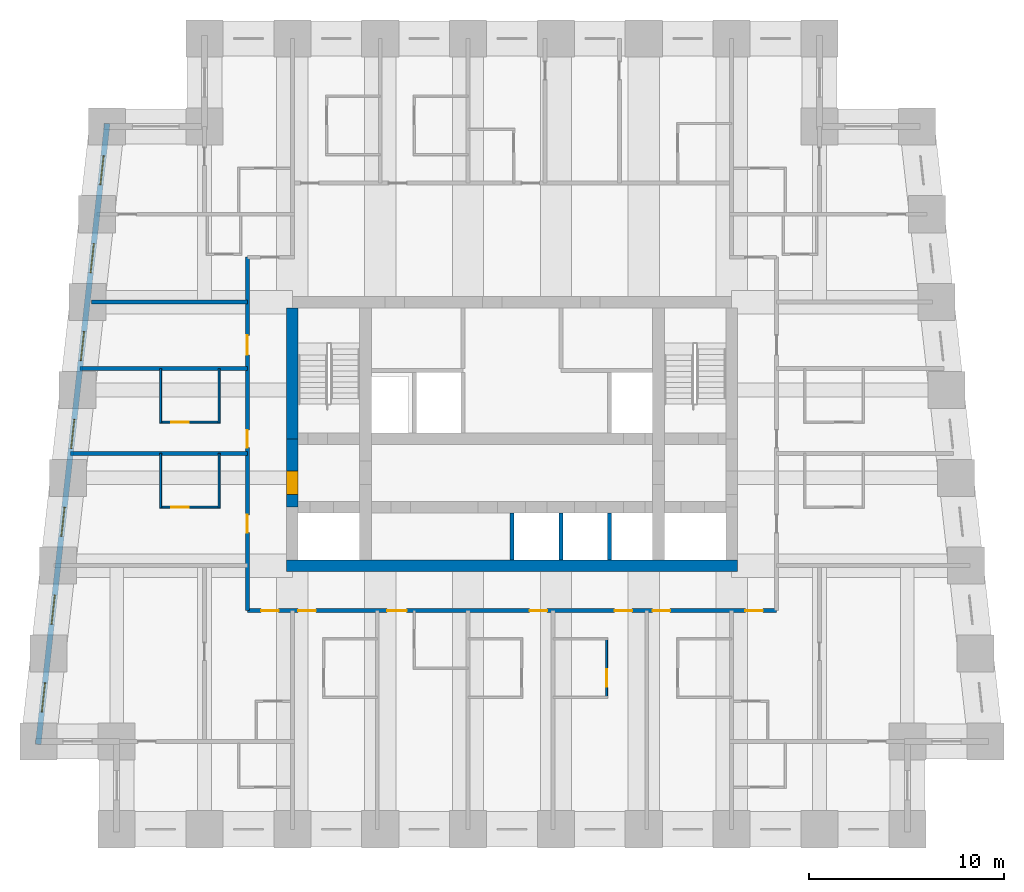
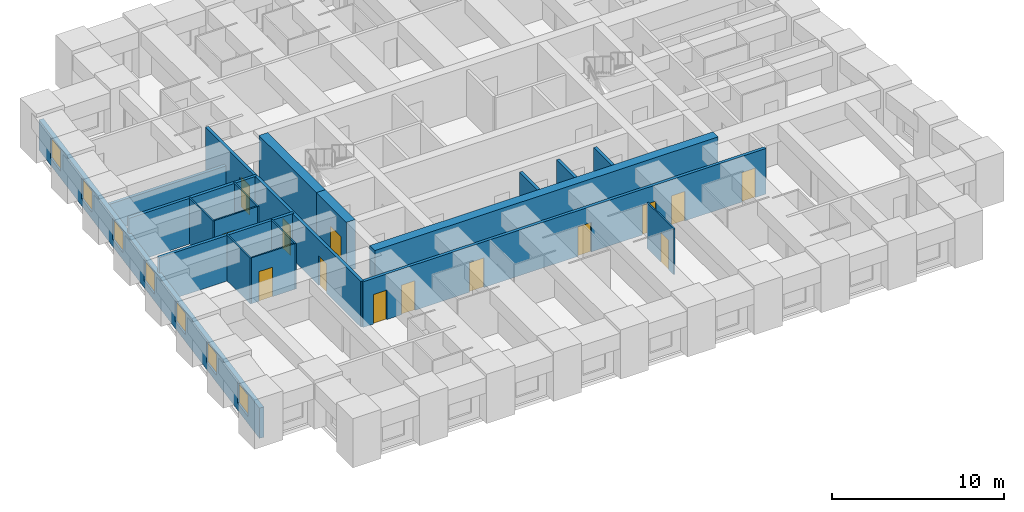
# One storey, part 3 of 8: 19 walls, 14 doors, 7 windows, 21 openings.
"""IFC4 building model written with IfcOpenShell, lengths in metres."""

from ifc_helpers import new_model, si_unit, direction, frame, frame_2d, origin, place, context, subcontext, project, spatial, rectangle, extrude, material, layer, layer_set, type_object, element, fill, save


model = new_model("IFC4")

# Units and contexts
model_context = context("Model", 3, precision=1e-05, world=origin(), true_north=direction((0.0, 1.0)))
body_context = subcontext(model_context, "Body", "Model", "MODEL_VIEW")
ifc_project = project(units=[si_unit("LENGTHUNIT", "METRE"), si_unit("AREAUNIT", "SQUARE_METRE"), si_unit("VOLUMEUNIT", "CUBIC_METRE"), si_unit("PLANEANGLEUNIT", "RADIAN"), si_unit("MASSUNIT", "GRAM", prefix="KILO")], contexts=[model_context])

# Site, building, storey
site_placement = place(None, origin())
site = spatial("IfcSite", under=ifc_project, at=site_placement, CompositionType="ELEMENT")
building_placement = place(site_placement, origin())
building = spatial("IfcBuilding", under=site, at=building_placement, Name="Kilele Tower Hotel", CompositionType="ELEMENT")
storey_placement = place(building_placement, frame((0.0, 0.0, 103.89990234375)))
storey = spatial("IfcBuildingStorey", under=building, at=storey_placement, Name="L26", CompositionType="ELEMENT", Elevation=103.89990234375)

# Wall, opening, door
ifc_material_1 = material(Name="Moisture-resistant board")
ifc_layer_1 = layer(ifc_material_1, 0.10009765625)
ifc_layer_set_1 = layer_set([ifc_layer_1], Name="Moisture-resistant board")
wall_type_1 = type_object("IfcWallType", Name="Bathroom partition 100", PredefinedType="PLUMBINGWALL", material=ifc_layer_set_1)
wall_1_placement = place(storey_placement, frame((29.60009765625, 9.800048828125, 0.0), z_axis=(0.0, 0.0, 1.0), x_axis=(0.0, -1.0, 0.0)))
wall_1 = element("IfcWall", 1, at=wall_1_placement, inside=storey, type_object=wall_type_1, Name="Bathroom partition 100 L26", PredefinedType="PLUMBINGWALL", context=body_context, shape_type="SweptSolid", body=[
    extrude(rectangle(XDim=3.10009765625, YDim=0.10009765625, at=frame_2d((1.550048828125, 0.0))), origin(), (0.0, 0.0, 1.0), 3.25),
])
opening_1_placement = place(wall_1_placement, frame((1.60009765625, 0.0, 0.0)))
opening_1 = element("IfcOpeningElement", 2, at=opening_1_placement, cuts=wall_1, Name="Opening D2A", PredefinedType="OPENING", context=body_context, shape_type="SweptSolid", body=[
    extrude(rectangle(XDim=0.89990234375, YDim=2.10009765625, at=frame_2d((0.449951171875, 1.050048828125))), frame((0.0, 0.06005859375, 0.0), z_axis=(0.0, -1.0, 0.0), x_axis=(1.0, 0.0, 0.0)), (0.0, 0.0, 1.0), 0.1201171875),
])
ifc_material_2 = material(Name="Timber door leaf in hardwood frame", Category="wood")
door_type_1 = type_object("IfcDoorType", Name="Bathroom door 900", OperationType="SINGLE_SWING_LEFT", PredefinedType="DOOR", material=ifc_material_2)
door_1_placement = place(opening_1_placement, origin())
door_1 = element("IfcDoor", 3, at=door_1_placement, inside=storey, type_object=door_type_1, Name="Bathroom door 2604B", OperationType="SINGLE_SWING_RIGHT", OverallHeight=2.10009765625, OverallWidth=0.89990234375, PredefinedType="DOOR", context=body_context, shape_type="SweptSolid", body=[
    extrude(rectangle(XDim=0.89990234375, YDim=2.10009765625, at=frame_2d((0.449951171875, 1.050048828125))), frame((0.0, 0.02490234375, 0.0), z_axis=(0.0, -1.0, 0.0), x_axis=(1.0, 0.0, 0.0)), (0.0, 0.0, 1.0), 0.050048828125),
])
fill(opening_1, door_1)

# Walls
for number, where, z_axis, x_axis, name in (
    (4, (9.75, 16.449951171875, 0.0), (0.0, 0.0, 1.0), (0.0, 1.0, 0.0), "Bathroom partition 100 L26"),
    (5, (6.75, 16.449951171875, 0.0), (0.0, 0.0, 1.0), (0.0, 1.0, 0.0), "Bathroom partition 100 L26"),
):
    element("IfcWall", number, at=place(storey_placement, frame(where, z_axis=z_axis, x_axis=x_axis)), inside=storey, type_object=wall_type_1, Name=name, PredefinedType="PLUMBINGWALL", context=body_context, shape_type="SweptSolid", body=[
        extrude(rectangle(XDim=2.800048828125, YDim=0.10009765625, at=frame_2d((1.39990234375, 0.0))), origin(), (0.0, 0.0, 1.0), 3.25),
    ])

# Wall, opening, door
wall_2_placement = place(storey_placement, frame((9.800048828125, 16.5, 0.0), z_axis=(0.0, 0.0, 1.0), x_axis=(-1.0, 0.0, 0.0)))
wall_2 = element("IfcWall", 6, at=wall_2_placement, inside=storey, type_object=wall_type_1, Name="Bathroom partition 100 L26", PredefinedType="PLUMBINGWALL", context=body_context, shape_type="SweptSolid", body=[
    extrude(rectangle(XDim=3.10009765625, YDim=0.10009765625, at=frame_2d((1.550048828125, 0.0))), origin(), (0.0, 0.0, 1.0), 3.25),
])
opening_2_placement = place(wall_2_placement, frame((1.60009765625, 0.0, 0.0)))
opening_2 = element("IfcOpeningElement", 7, at=opening_2_placement, cuts=wall_2, Name="Opening D2A", PredefinedType="OPENING", context=body_context, shape_type="SweptSolid", body=[
    extrude(rectangle(XDim=0.89990234375, YDim=2.10009765625, at=frame_2d((0.449951171875, 1.050048828125))), frame((0.0, 0.06005859375, 0.0), z_axis=(0.0, -1.0, 0.0), x_axis=(1.0, 0.0, 0.0)), (0.0, 0.0, 1.0), 0.1201171875),
])
door_2_placement = place(opening_2_placement, origin())
door_2 = element("IfcDoor", 8, at=door_2_placement, inside=storey, type_object=door_type_1, Name="Bathroom door 2614B", OperationType="SINGLE_SWING_RIGHT", OverallHeight=2.10009765625, OverallWidth=0.89990234375, PredefinedType="DOOR", context=body_context, shape_type="SweptSolid", body=[
    extrude(rectangle(XDim=0.89990234375, YDim=2.10009765625, at=frame_2d((0.449951171875, 1.050048828125))), frame((0.0, 0.02490234375, 0.0), z_axis=(0.0, -1.0, 0.0), x_axis=(1.0, 0.0, 0.0)), (0.0, 0.0, 1.0), 0.050048828125),
])
fill(opening_2, door_2)

# Walls
for number, where, z_axis, x_axis, name in (
    (9, (9.75, 20.800048828125, 0.0), (0.0, 0.0, 1.0), (0.0, 1.0, 0.0), "Bathroom partition 100 L26"),
    (10, (6.75, 20.800048828125, 0.0), (0.0, 0.0, 1.0), (0.0, 1.0, 0.0), "Bathroom partition 100 L26"),
):
    element("IfcWall", number, at=place(storey_placement, frame(where, z_axis=z_axis, x_axis=x_axis)), inside=storey, type_object=wall_type_1, Name=name, PredefinedType="PLUMBINGWALL", context=body_context, shape_type="SweptSolid", body=[
        extrude(rectangle(XDim=2.800048828125, YDim=0.10009765625, at=frame_2d((1.39990234375, 0.0))), origin(), (0.0, 0.0, 1.0), 3.25),
    ])

# Wall, opening, door
wall_3_placement = place(storey_placement, frame((9.800048828125, 20.85009765625, 0.0), z_axis=(0.0, 0.0, 1.0), x_axis=(-1.0, 0.0, 0.0)))
wall_3 = element("IfcWall", 11, at=wall_3_placement, inside=storey, type_object=wall_type_1, Name="Bathroom partition 100 L26", PredefinedType="PLUMBINGWALL", context=body_context, shape_type="SweptSolid", body=[
    extrude(rectangle(XDim=3.10009765625, YDim=0.10009765625, at=frame_2d((1.550048828125, 0.0))), origin(), (0.0, 0.0, 1.0), 3.25),
])
opening_3_placement = place(wall_3_placement, frame((1.60009765625, 0.0, 0.0)))
opening_3 = element("IfcOpeningElement", 12, at=opening_3_placement, cuts=wall_3, Name="Opening D2A", PredefinedType="OPENING", context=body_context, shape_type="SweptSolid", body=[
    extrude(rectangle(XDim=0.89990234375, YDim=2.10009765625, at=frame_2d((0.449951171875, 1.050048828125))), frame((0.0, 0.06005859375, 0.0), z_axis=(0.0, -1.0, 0.0), x_axis=(1.0, 0.0, 0.0)), (0.0, 0.0, 1.0), 0.1201171875),
])
door_3_placement = place(opening_3_placement, origin())
door_3 = element("IfcDoor", 13, at=door_3_placement, inside=storey, type_object=door_type_1, Name="Bathroom door 2615B", OperationType="SINGLE_SWING_RIGHT", OverallHeight=2.10009765625, OverallWidth=0.89990234375, PredefinedType="DOOR", context=body_context, shape_type="SweptSolid", body=[
    extrude(rectangle(XDim=0.89990234375, YDim=2.10009765625, at=frame_2d((0.449951171875, 1.050048828125))), frame((0.0, 0.02490234375, 0.0), z_axis=(0.0, -1.0, 0.0), x_axis=(1.0, 0.0, 0.0)), (0.0, 0.0, 1.0), 0.050048828125),
])
fill(opening_3, door_3)

# Walls
ifc_material_3 = material(Name="Concrete C60/75", Category="concrete")
ifc_layer_2 = layer(ifc_material_3, 0.60009765625)
ifc_layer_set_2 = layer_set([ifc_layer_2], Name="Concrete C60/75")
wall_type_2 = type_object("IfcWallType", Name="Core wall 600 C60/75", PredefinedType="SHEAR", material=ifc_layer_set_2)
wall_4_placement = place(storey_placement, frame((13.199951171875, 13.5, 0.0), z_axis=(0.0, 0.0, 1.0), x_axis=(1.0, 0.0, 0.0)))
element("IfcWall", 14, at=wall_4_placement, inside=storey, type_object=wall_type_2, Name="Core wall S L26", PredefinedType="SHEAR", context=body_context, shape_type="SweptSolid", body=[
    extrude(rectangle(XDim=23.10009765625, YDim=0.60009765625, at=frame_2d((11.550048828125, 0.0))), origin(), (0.0, 0.0, 1.0), 3.5),
])
wall_5_placement = place(storey_placement, frame((13.5, 26.699951171875, 0.0), z_axis=(0.0, 0.0, 1.0), x_axis=(0.0, -1.0, 0.0)))
element("IfcWall", 15, at=wall_5_placement, inside=storey, type_object=wall_type_2, Name="Core wall W1 L26", PredefinedType="SHEAR", context=body_context, shape_type="SweptSolid", body=[
    extrude(rectangle(XDim=6.699951171875, YDim=0.60009765625, at=frame_2d((3.35009765625, 0.0))), origin(), (0.0, 0.0, 1.0), 3.5),
])

# Wall, opening, door
wall_6_placement = place(storey_placement, frame((13.5, 20.0, 0.0), z_axis=(0.0, 0.0, 1.0), x_axis=(0.0, -1.0, 0.0)))
wall_6 = element("IfcWall", 16, at=wall_6_placement, inside=storey, type_object=wall_type_2, Name="Core wall W2 L26", PredefinedType="SHEAR", context=body_context, shape_type="SweptSolid", body=[
    extrude(rectangle(XDim=3.5, YDim=0.60009765625, at=frame_2d((1.75, 0.0))), origin(), (0.0, 0.0, 1.0), 3.5),
])
opening_4_placement = place(wall_6_placement, frame((1.64990234375, 0.0, 0.0)))
opening_4 = element("IfcOpeningElement", 17, at=opening_4_placement, cuts=wall_6, Name="Opening D4", PredefinedType="OPENING", context=body_context, shape_type="SweptSolid", body=[
    extrude(rectangle(XDim=1.199951171875, YDim=2.10009765625, at=frame_2d((0.60009765625, 1.050048828125))), frame((0.0, 0.31005859375, 0.0), z_axis=(0.0, -1.0, 0.0), x_axis=(1.0, 0.0, 0.0)), (0.0, 0.0, 1.0), 0.6201171875),
])
ifc_material_4 = material(Name="Timber door leaf in hardwood frame", Category="wood")
door_type_2 = type_object("IfcDoorType", Name="Firefighting lobby door 1200", OperationType="SINGLE_SWING_LEFT", PredefinedType="DOOR", material=ifc_material_4)
door_4_placement = place(opening_4_placement, origin())
door_4 = element("IfcDoor", 18, at=door_4_placement, inside=storey, type_object=door_type_2, Name="Lobby door L26", OperationType="SINGLE_SWING_RIGHT", OverallHeight=2.10009765625, OverallWidth=1.199951171875, PredefinedType="DOOR", context=body_context, shape_type="SweptSolid", body=[
    extrude(rectangle(XDim=1.199951171875, YDim=2.10009765625, at=frame_2d((0.60009765625, 1.050048828125))), frame((0.0, 0.2998046875, 0.0), z_axis=(0.0, -1.0, 0.0), x_axis=(1.0, 0.0, 0.0)), (0.0, 0.0, 1.0), 0.599609375),
])
fill(opening_4, door_4)

# Wall, openings, doors
ifc_material_5 = material(Name="Blockwork, plastered both sides", Category="masonry")
ifc_layer_3 = layer(ifc_material_5, 0.199951171875)
ifc_layer_set_3 = layer_set([ifc_layer_3], Name="Blockwork, plastered both sides")
wall_type_3 = type_object("IfcWallType", Name="Corridor wall 200", PredefinedType="PARTITIONING", material=ifc_layer_set_3)
wall_7_placement = place(storey_placement, frame((11.199951171875, 11.199951171875, 0.0), z_axis=(0.0, 0.0, 1.0), x_axis=(1.0, 0.0, 0.0)))
wall_7 = element("IfcWall", 19, at=wall_7_placement, inside=storey, type_object=wall_type_3, Name="Corridor wall 200 L26", PredefinedType="PARTITIONING", context=body_context, shape_type="SweptSolid", body=[
    extrude(rectangle(XDim=27.10009765625, YDim=0.199951171875, at=frame_2d((13.550048828125, 0.0))), origin(), (0.0, 0.0, 1.0), 3.25),
])
opening_5_placement = place(wall_7_placement, frame((3.5, 0.0, 0.0), z_axis=(0.0, 0.0, 1.0), x_axis=(-1.0, 0.0, 0.0)))
opening_5 = element("IfcOpeningElement", 20, at=opening_5_placement, cuts=wall_7, Name="Opening D1", PredefinedType="OPENING", context=body_context, shape_type="SweptSolid", body=[
    extrude(rectangle(XDim=0.89990234375, YDim=2.10009765625, at=frame_2d((0.449951171875, 1.050048828125))), frame((0.0, 0.10986328125, 0.0), z_axis=(0.0, -1.0, 0.0), x_axis=(1.0, 0.0, 0.0)), (0.0, 0.0, 1.0), 0.219970703125),
])
opening_6_placement = place(wall_7_placement, frame((8.14990234375, 0.0, 0.0), z_axis=(0.0, 0.0, 1.0), x_axis=(-1.0, 0.0, 0.0)))
opening_6 = element("IfcOpeningElement", 21, at=opening_6_placement, cuts=wall_7, Name="Opening D1A", PredefinedType="OPENING", context=body_context, shape_type="SweptSolid", body=[
    extrude(rectangle(XDim=1.0, YDim=2.10009765625, at=frame_2d((0.5, 1.050048828125))), frame((0.0, 0.10986328125, 0.0), z_axis=(0.0, -1.0, 0.0), x_axis=(1.0, 0.0, 0.0)), (0.0, 0.0, 1.0), 0.219970703125),
])
opening_7_placement = place(wall_7_placement, frame((15.349853515625, 0.0, 0.0), z_axis=(0.0, 0.0, 1.0), x_axis=(-1.0, 0.0, 0.0)))
opening_7 = element("IfcOpeningElement", 22, at=opening_7_placement, cuts=wall_7, Name="Opening D1", PredefinedType="OPENING", context=body_context, shape_type="SweptSolid", body=[
    extrude(rectangle(XDim=0.89990234375, YDim=2.10009765625, at=frame_2d((0.449951171875, 1.050048828125))), frame((0.0, 0.10986328125, 0.0), z_axis=(0.0, -1.0, 0.0), x_axis=(1.0, 0.0, 0.0)), (0.0, 0.0, 1.0), 0.219970703125),
])
opening_8_placement = place(wall_7_placement, frame((19.699951171875, 0.0, 0.0), z_axis=(0.0, 0.0, 1.0), x_axis=(-1.0, 0.0, 0.0)))
opening_8 = element("IfcOpeningElement", 23, at=opening_8_placement, cuts=wall_7, Name="Opening D1", PredefinedType="OPENING", context=body_context, shape_type="SweptSolid", body=[
    extrude(rectangle(XDim=0.89990234375, YDim=2.10009765625, at=frame_2d((0.449951171875, 1.050048828125))), frame((0.0, 0.10986328125, 0.0), z_axis=(0.0, -1.0, 0.0), x_axis=(1.0, 0.0, 0.0)), (0.0, 0.0, 1.0), 0.219970703125),
])
opening_9_placement = place(wall_7_placement, frame((21.64990234375, 0.0, 0.0), z_axis=(0.0, 0.0, 1.0), x_axis=(-1.0, 0.0, 0.0)))
opening_9 = element("IfcOpeningElement", 24, at=opening_9_placement, cuts=wall_7, Name="Opening D1", PredefinedType="OPENING", context=body_context, shape_type="SweptSolid", body=[
    extrude(rectangle(XDim=0.89990234375, YDim=2.10009765625, at=frame_2d((0.449951171875, 1.050048828125))), frame((0.0, 0.10986328125, 0.0), z_axis=(0.0, -1.0, 0.0), x_axis=(1.0, 0.0, 0.0)), (0.0, 0.0, 1.0), 0.219970703125),
])
opening_10_placement = place(wall_7_placement, frame((1.599853515625, 0.0, 0.0), z_axis=(0.0, 0.0, 1.0), x_axis=(-1.0, 0.0, 0.0)))
opening_10 = element("IfcOpeningElement", 25, at=opening_10_placement, cuts=wall_7, Name="Opening D1", PredefinedType="OPENING", context=body_context, shape_type="SweptSolid", body=[
    extrude(rectangle(XDim=0.89990234375, YDim=2.10009765625, at=frame_2d((0.449951171875, 1.050048828125))), frame((0.0, 0.10986328125, 0.0), z_axis=(0.0, -1.0, 0.0), x_axis=(1.0, 0.0, 0.0)), (0.0, 0.0, 1.0), 0.219970703125),
])
opening_11_placement = place(wall_7_placement, frame((26.39990234375, 0.0, 0.0), z_axis=(0.0, 0.0, 1.0), x_axis=(-1.0, 0.0, 0.0)))
opening_11 = element("IfcOpeningElement", 26, at=opening_11_placement, cuts=wall_7, Name="Opening D1", PredefinedType="OPENING", context=body_context, shape_type="SweptSolid", body=[
    extrude(rectangle(XDim=0.89990234375, YDim=2.10009765625, at=frame_2d((0.449951171875, 1.050048828125))), frame((0.0, 0.10986328125, 0.0), z_axis=(0.0, -1.0, 0.0), x_axis=(1.0, 0.0, 0.0)), (0.0, 0.0, 1.0), 0.219970703125),
])
ifc_material_6 = material(Name="Timber door leaf in hardwood frame", Category="wood")
door_type_3 = type_object("IfcDoorType", Name="Guest room entrance door 1000", OperationType="SINGLE_SWING_LEFT", PredefinedType="DOOR", material=ifc_material_6)
door_5_placement = place(opening_6_placement, origin())
door_5 = element("IfcDoor", 27, at=door_5_placement, inside=storey, type_object=door_type_3, Name="Room entrance 2602", OperationType="SINGLE_SWING_RIGHT", OverallHeight=2.10009765625, OverallWidth=1.0, PredefinedType="DOOR", context=body_context, shape_type="SweptSolid", body=[
    extrude(rectangle(XDim=1.0, YDim=2.10009765625, at=frame_2d((0.5, 1.050048828125))), frame((0.0, 0.02490234375, 0.0), z_axis=(0.0, -1.0, 0.0), x_axis=(1.0, 0.0, 0.0)), (0.0, 0.0, 1.0), 0.050048828125),
])
fill(opening_6, door_5)
ifc_material_7 = material(Name="Timber door leaf in hardwood frame", Category="wood")
door_type_4 = type_object("IfcDoorType", Name="Guest room entrance door 900", OperationType="SINGLE_SWING_LEFT", PredefinedType="DOOR", material=ifc_material_7)
door_6_placement = place(opening_5_placement, origin())
door_6 = element("IfcDoor", 28, at=door_6_placement, inside=storey, type_object=door_type_4, Name="Room entrance 2601", OperationType="SINGLE_SWING_RIGHT", OverallHeight=2.10009765625, OverallWidth=0.89990234375, PredefinedType="DOOR", context=body_context, shape_type="SweptSolid", body=[
    extrude(rectangle(XDim=0.89990234375, YDim=2.10009765625, at=frame_2d((0.449951171875, 1.050048828125))), frame((0.0, 0.02490234375, 0.0), z_axis=(0.0, -1.0, 0.0), x_axis=(1.0, 0.0, 0.0)), (0.0, 0.0, 1.0), 0.050048828125),
])
fill(opening_5, door_6)
door_7_placement = place(opening_7_placement, origin())
door_7 = element("IfcDoor", 29, at=door_7_placement, inside=storey, type_object=door_type_4, Name="Room entrance 2603", OperationType="SINGLE_SWING_LEFT", OverallHeight=2.10009765625, OverallWidth=0.89990234375, PredefinedType="DOOR", context=body_context, shape_type="SweptSolid", body=[
    extrude(rectangle(XDim=0.89990234375, YDim=2.10009765625, at=frame_2d((0.449951171875, 1.050048828125))), frame((0.0, 0.02490234375, 0.0), z_axis=(0.0, -1.0, 0.0), x_axis=(1.0, 0.0, 0.0)), (0.0, 0.0, 1.0), 0.050048828125),
])
fill(opening_7, door_7)
door_8_placement = place(opening_8_placement, origin())
door_8 = element("IfcDoor", 30, at=door_8_placement, inside=storey, type_object=door_type_4, Name="Room entrance 2604", OperationType="SINGLE_SWING_LEFT", OverallHeight=2.10009765625, OverallWidth=0.89990234375, PredefinedType="DOOR", context=body_context, shape_type="SweptSolid", body=[
    extrude(rectangle(XDim=0.89990234375, YDim=2.10009765625, at=frame_2d((0.449951171875, 1.050048828125))), frame((0.0, 0.02490234375, 0.0), z_axis=(0.0, -1.0, 0.0), x_axis=(1.0, 0.0, 0.0)), (0.0, 0.0, 1.0), 0.050048828125),
])
fill(opening_8, door_8)
door_9_placement = place(opening_9_placement, origin())
door_9 = element("IfcDoor", 31, at=door_9_placement, inside=storey, type_object=door_type_4, Name="Room entrance 2605", OperationType="SINGLE_SWING_RIGHT", OverallHeight=2.10009765625, OverallWidth=0.89990234375, PredefinedType="DOOR", context=body_context, shape_type="SweptSolid", body=[
    extrude(rectangle(XDim=0.89990234375, YDim=2.10009765625, at=frame_2d((0.449951171875, 1.050048828125))), frame((0.0, 0.02490234375, 0.0), z_axis=(0.0, -1.0, 0.0), x_axis=(1.0, 0.0, 0.0)), (0.0, 0.0, 1.0), 0.050048828125),
])
fill(opening_9, door_9)
door_10_placement = place(opening_10_placement, origin())
door_10 = element("IfcDoor", 32, at=door_10_placement, inside=storey, type_object=door_type_4, Name="Room entrance 2617", OperationType="SINGLE_SWING_LEFT", OverallHeight=2.10009765625, OverallWidth=0.89990234375, PredefinedType="DOOR", context=body_context, shape_type="SweptSolid", body=[
    extrude(rectangle(XDim=0.89990234375, YDim=2.10009765625, at=frame_2d((0.449951171875, 1.050048828125))), frame((0.0, 0.02490234375, 0.0), z_axis=(0.0, -1.0, 0.0), x_axis=(1.0, 0.0, 0.0)), (0.0, 0.0, 1.0), 0.050048828125),
])
fill(opening_10, door_10)
door_11_placement = place(opening_11_placement, origin())
door_11 = element("IfcDoor", 33, at=door_11_placement, inside=storey, type_object=door_type_4, Name="Room entrance 2620", OperationType="SINGLE_SWING_RIGHT", OverallHeight=2.10009765625, OverallWidth=0.89990234375, PredefinedType="DOOR", context=body_context, shape_type="SweptSolid", body=[
    extrude(rectangle(XDim=0.89990234375, YDim=2.10009765625, at=frame_2d((0.449951171875, 1.050048828125))), frame((0.0, 0.02490234375, 0.0), z_axis=(0.0, -1.0, 0.0), x_axis=(1.0, 0.0, 0.0)), (0.0, 0.0, 1.0), 0.050048828125),
])
fill(opening_11, door_11)

wall_8_placement = place(storey_placement, frame((11.199951171875, 11.199951171875, 0.0), z_axis=(0.0, 0.0, 1.0), x_axis=(0.0, 1.0, 0.0)))
wall_8 = element("IfcWall", 34, at=wall_8_placement, inside=storey, type_object=wall_type_3, Name="Corridor wall 200 L26", PredefinedType="PARTITIONING", context=body_context, shape_type="SweptSolid", body=[
    extrude(rectangle(XDim=18.10009765625, YDim=0.199951171875, at=frame_2d((9.050048828125, 0.0))), origin(), (0.0, 0.0, 1.0), 3.25),
])
opening_12_placement = place(wall_8_placement, frame((4.0, 0.0, 0.0)))
opening_12 = element("IfcOpeningElement", 35, at=opening_12_placement, cuts=wall_8, Name="Opening D1", PredefinedType="OPENING", context=body_context, shape_type="SweptSolid", body=[
    extrude(rectangle(XDim=0.89990234375, YDim=2.10009765625, at=frame_2d((0.449951171875, 1.050048828125))), frame((0.0, 0.10986328125, 0.0), z_axis=(0.0, -1.0, 0.0), x_axis=(1.0, 0.0, 0.0)), (0.0, 0.0, 1.0), 0.219970703125),
])
opening_13_placement = place(wall_8_placement, frame((8.35009765625, 0.0, 0.0)))
opening_13 = element("IfcOpeningElement", 36, at=opening_13_placement, cuts=wall_8, Name="Opening D1", PredefinedType="OPENING", context=body_context, shape_type="SweptSolid", body=[
    extrude(rectangle(XDim=0.89990234375, YDim=2.10009765625, at=frame_2d((0.449951171875, 1.050048828125))), frame((0.0, 0.10986328125, 0.0), z_axis=(0.0, -1.0, 0.0), x_axis=(1.0, 0.0, 0.0)), (0.0, 0.0, 1.0), 0.219970703125),
])
opening_14_placement = place(wall_8_placement, frame((13.10009765625, 0.0, 0.0)))
opening_14 = element("IfcOpeningElement", 37, at=opening_14_placement, cuts=wall_8, Name="Opening D8", PredefinedType="OPENING", context=body_context, shape_type="SweptSolid", body=[
    extrude(rectangle(XDim=1.0, YDim=2.10009765625, at=frame_2d((0.5, 1.050048828125))), frame((0.0, 0.10986328125, 0.0), z_axis=(0.0, -1.0, 0.0), x_axis=(1.0, 0.0, 0.0)), (0.0, 0.0, 1.0), 0.219970703125),
])
ifc_material_8 = material(Name="Timber door leaf in hardwood frame", Category="wood")
door_type_5 = type_object("IfcDoorType", Name="Door 1000", OperationType="SINGLE_SWING_LEFT", PredefinedType="DOOR", material=ifc_material_8)
door_12_placement = place(opening_14_placement, origin())
door_12 = element("IfcDoor", 38, at=door_12_placement, inside=storey, type_object=door_type_5, Name="Room entrance 2616", OperationType="SINGLE_SWING_LEFT", OverallHeight=2.10009765625, OverallWidth=1.0, PredefinedType="DOOR", context=body_context, shape_type="SweptSolid", body=[
    extrude(rectangle(XDim=1.0, YDim=2.10009765625, at=frame_2d((0.5, 1.050048828125))), frame((0.0, 0.02490234375, 0.0), z_axis=(0.0, -1.0, 0.0), x_axis=(1.0, 0.0, 0.0)), (0.0, 0.0, 1.0), 0.050048828125),
])
fill(opening_14, door_12)
door_13_placement = place(opening_12_placement, origin())
door_13 = element("IfcDoor", 39, at=door_13_placement, inside=storey, type_object=door_type_4, Name="Room entrance 2614", OperationType="SINGLE_SWING_LEFT", OverallHeight=2.10009765625, OverallWidth=0.89990234375, PredefinedType="DOOR", context=body_context, shape_type="SweptSolid", body=[
    extrude(rectangle(XDim=0.89990234375, YDim=2.10009765625, at=frame_2d((0.449951171875, 1.050048828125))), frame((0.0, 0.02490234375, 0.0), z_axis=(0.0, -1.0, 0.0), x_axis=(1.0, 0.0, 0.0)), (0.0, 0.0, 1.0), 0.050048828125),
])
fill(opening_12, door_13)
door_14_placement = place(opening_13_placement, origin())
door_14 = element("IfcDoor", 40, at=door_14_placement, inside=storey, type_object=door_type_4, Name="Room entrance 2615", OperationType="SINGLE_SWING_LEFT", OverallHeight=2.10009765625, OverallWidth=0.89990234375, PredefinedType="DOOR", context=body_context, shape_type="SweptSolid", body=[
    extrude(rectangle(XDim=0.89990234375, YDim=2.10009765625, at=frame_2d((0.449951171875, 1.050048828125))), frame((0.0, 0.02490234375, 0.0), z_axis=(0.0, -1.0, 0.0), x_axis=(1.0, 0.0, 0.0)), (0.0, 0.0, 1.0), 0.050048828125),
])
fill(opening_13, door_14)

# Walls
ifc_material_9 = material(Name="Blockwork, plastered both sides", Category="masonry")
ifc_layer_4 = layer(ifc_material_9, 0.199951171875)
ifc_layer_set_4 = layer_set([ifc_layer_4], Name="Blockwork, plastered both sides")
wall_type_4 = type_object("IfcWallType", Name="Party wall 200", PredefinedType="PARTITIONING", material=ifc_layer_set_4)
wall_9_placement = place(storey_placement, frame((11.199951171875, 19.25, 0.0), z_axis=(0.0, 0.0, 1.0), x_axis=(-1.0, 0.0, 0.0)))
element("IfcWall", 41, at=wall_9_placement, inside=storey, type_object=wall_type_4, Name="Party wall 200 L26", PredefinedType="PARTITIONING", context=body_context, shape_type="SweptSolid", body=[
    extrude(rectangle(XDim=9.06005859375, YDim=0.199951171875, at=frame_2d((4.530029296875, 0.0))), origin(), (0.0, 0.0, 1.0), 3.25),
])
wall_10_placement = place(storey_placement, frame((11.199951171875, 23.60009765625, 0.0), z_axis=(0.0, 0.0, 1.0), x_axis=(-1.0, 0.0, 0.0)))
element("IfcWall", 42, at=wall_10_placement, inside=storey, type_object=wall_type_4, Name="Party wall 200 L26", PredefinedType="PARTITIONING", context=body_context, shape_type="SweptSolid", body=[
    extrude(rectangle(XDim=8.576904296875, YDim=0.199951171875, at=frame_2d((4.28857421875, 0.0))), origin(), (0.0, 0.0, 1.0), 3.25),
])
wall_11_placement = place(storey_placement, frame((11.199951171875, 27.0, 0.0), z_axis=(0.0, 0.0, 1.0), x_axis=(-1.0, 0.0, 0.0)))
element("IfcWall", 43, at=wall_11_placement, inside=storey, type_object=wall_type_4, Name="Party wall 200 L26", PredefinedType="PARTITIONING", context=body_context, shape_type="SweptSolid", body=[
    extrude(rectangle(XDim=7.976806640625, YDim=0.199951171875, at=frame_2d((3.98828125, 0.0))), origin(), (0.0, 0.0, 1.0), 1.9501953125),
])

# Wall, openings, windows
ifc_material_10 = material(Name="Concrete C40/50 precast", Category="concrete")
ifc_layer_5 = layer(ifc_material_10, 0.260009765625, Name="Precast backing", Category="LoadBearing")
ifc_material_11 = material(Name="Reconstituted stone finish", Category="masonry")
ifc_layer_6 = layer(ifc_material_11, 0.0400390625, Name="Face mix", Category="Finish")
ifc_layer_set_5 = layer_set([ifc_layer_5, ifc_layer_6], Name="Precast concrete C40/50, reconstituted stone finish")
wall_type_5 = type_object("IfcWallType", Name="Precast stone facade wall 300", PredefinedType="STANDARD", material=ifc_layer_set_5)
wall_12_placement = place(storey_placement, frame((4.0166015625, 36.149169921875, 0.0), z_axis=(0.0, 0.0, 1.0), x_axis=(-0.110433201132, -0.993883548555, 0.0)))
wall_12 = element("IfcWall", 44, at=wall_12_placement, inside=storey, type_object=wall_type_5, Name="Facade wall L26 edge 12", PredefinedType="STANDARD", context=body_context, shape_type="SweptSolid", body=[
    extrude(rectangle(XDim=31.994140625, YDim=0.300048828125, at=frame_2d((15.9970703125, 0.0))), origin(), (0.0, 0.0, 1.0), 2.150146484375),
])
opening_15_placement = place(wall_12_placement, frame((1.6640625, 0.0, 0.5)))
opening_15 = element("IfcOpeningElement", 45, at=opening_15_placement, cuts=wall_12, Name="Opening W2", PredefinedType="OPENING", context=body_context, shape_type="SweptSolid", body=[
    extrude(rectangle(XDim=1.5, YDim=1.5, at=frame_2d((0.75, 0.75))), frame((0.0, 0.159912109375, 0.0), z_axis=(0.0, -1.0, 0.0), x_axis=(1.0, 0.0, 0.0)), (0.0, 0.0, 1.0), 0.320068359375),
])
opening_16_placement = place(wall_12_placement, frame((6.19189453125, 0.0, 0.5)))
opening_16 = element("IfcOpeningElement", 46, at=opening_16_placement, cuts=wall_12, Name="Opening W2", PredefinedType="OPENING", context=body_context, shape_type="SweptSolid", body=[
    extrude(rectangle(XDim=1.5, YDim=1.5, at=frame_2d((0.75, 0.75))), frame((0.0, 0.159912109375, 0.0), z_axis=(0.0, -1.0, 0.0), x_axis=(1.0, 0.0, 0.0)), (0.0, 0.0, 1.0), 0.320068359375),
])
opening_17_placement = place(wall_12_placement, frame((10.718994140625, 0.0, 0.5)))
opening_17 = element("IfcOpeningElement", 47, at=opening_17_placement, cuts=wall_12, Name="Opening W2", PredefinedType="OPENING", context=body_context, shape_type="SweptSolid", body=[
    extrude(rectangle(XDim=1.5, YDim=1.5, at=frame_2d((0.75, 0.75))), frame((0.0, 0.159912109375, 0.0), z_axis=(0.0, -1.0, 0.0), x_axis=(1.0, 0.0, 0.0)), (0.0, 0.0, 1.0), 0.320068359375),
])
opening_18_placement = place(wall_12_placement, frame((15.2470703125, 0.0, 0.5)))
opening_18 = element("IfcOpeningElement", 48, at=opening_18_placement, cuts=wall_12, Name="Opening W2", PredefinedType="OPENING", context=body_context, shape_type="SweptSolid", body=[
    extrude(rectangle(XDim=1.5, YDim=1.5, at=frame_2d((0.75, 0.75))), frame((0.0, 0.159912109375, 0.0), z_axis=(0.0, -1.0, 0.0), x_axis=(1.0, 0.0, 0.0)), (0.0, 0.0, 1.0), 0.320068359375),
])
opening_19_placement = place(wall_12_placement, frame((19.77490234375, 0.0, 0.5)))
opening_19 = element("IfcOpeningElement", 49, at=opening_19_placement, cuts=wall_12, Name="Opening W2", PredefinedType="OPENING", context=body_context, shape_type="SweptSolid", body=[
    extrude(rectangle(XDim=1.5, YDim=1.5, at=frame_2d((0.75, 0.75))), frame((0.0, 0.159912109375, 0.0), z_axis=(0.0, -1.0, 0.0), x_axis=(1.0, 0.0, 0.0)), (0.0, 0.0, 1.0), 0.320068359375),
])
opening_20_placement = place(wall_12_placement, frame((24.302001953125, 0.0, 0.5)))
opening_20 = element("IfcOpeningElement", 50, at=opening_20_placement, cuts=wall_12, Name="Opening W2", PredefinedType="OPENING", context=body_context, shape_type="SweptSolid", body=[
    extrude(rectangle(XDim=1.5, YDim=1.5, at=frame_2d((0.75, 0.75))), frame((0.0, 0.159912109375, 0.0), z_axis=(0.0, -1.0, 0.0), x_axis=(1.0, 0.0, 0.0)), (0.0, 0.0, 1.0), 0.320068359375),
])
opening_21_placement = place(wall_12_placement, frame((28.830078125, 0.0, 0.5)))
opening_21 = element("IfcOpeningElement", 51, at=opening_21_placement, cuts=wall_12, Name="Opening W2", PredefinedType="OPENING", context=body_context, shape_type="SweptSolid", body=[
    extrude(rectangle(XDim=1.5, YDim=1.5, at=frame_2d((0.75, 0.75))), frame((0.0, 0.159912109375, 0.0), z_axis=(0.0, -1.0, 0.0), x_axis=(1.0, 0.0, 0.0)), (0.0, 0.0, 1.0), 0.320068359375),
])
ifc_material_12 = material(Name="Aluminium frame, clear double glazing", Category="aluminium")
window_type = type_object("IfcWindowType", Name="Window W2 1500 x 1500", PartitioningType="SINGLE_PANEL", PredefinedType="WINDOW", material=ifc_material_12)
window_1_placement = place(opening_15_placement, origin())
window_1 = element("IfcWindow", 52, at=window_1_placement, inside=storey, type_object=window_type, Name="Window L26", OverallHeight=1.5, OverallWidth=1.5, PartitioningType="SINGLE_PANEL", PredefinedType="WINDOW", context=body_context, shape_type="SweptSolid", body=[
    extrude(rectangle(XDim=1.5, YDim=1.5, at=frame_2d((0.75, 0.75))), frame((0.0, 0.030029296875, 0.0), z_axis=(0.0, -1.0, 0.0), x_axis=(1.0, 0.0, 0.0)), (0.0, 0.0, 1.0), 0.06005859375),
])
fill(opening_15, window_1)
window_2_placement = place(opening_16_placement, origin())
window_2 = element("IfcWindow", 53, at=window_2_placement, inside=storey, type_object=window_type, Name="Window L26", OverallHeight=1.5, OverallWidth=1.5, PartitioningType="SINGLE_PANEL", PredefinedType="WINDOW", context=body_context, shape_type="SweptSolid", body=[
    extrude(rectangle(XDim=1.5, YDim=1.5, at=frame_2d((0.75, 0.75))), frame((0.0, 0.030029296875, 0.0), z_axis=(0.0, -1.0, 0.0), x_axis=(1.0, 0.0, 0.0)), (0.0, 0.0, 1.0), 0.06005859375),
])
fill(opening_16, window_2)
window_3_placement = place(opening_17_placement, origin())
window_3 = element("IfcWindow", 54, at=window_3_placement, inside=storey, type_object=window_type, Name="Window L26", OverallHeight=1.5, OverallWidth=1.5, PartitioningType="SINGLE_PANEL", PredefinedType="WINDOW", context=body_context, shape_type="SweptSolid", body=[
    extrude(rectangle(XDim=1.5, YDim=1.5, at=frame_2d((0.75, 0.75))), frame((0.0, 0.030029296875, 0.0), z_axis=(0.0, -1.0, 0.0), x_axis=(1.0, 0.0, 0.0)), (0.0, 0.0, 1.0), 0.06005859375),
])
fill(opening_17, window_3)
window_4_placement = place(opening_18_placement, origin())
window_4 = element("IfcWindow", 55, at=window_4_placement, inside=storey, type_object=window_type, Name="Window L26", OverallHeight=1.5, OverallWidth=1.5, PartitioningType="SINGLE_PANEL", PredefinedType="WINDOW", context=body_context, shape_type="SweptSolid", body=[
    extrude(rectangle(XDim=1.5, YDim=1.5, at=frame_2d((0.75, 0.75))), frame((0.0, 0.030029296875, 0.0), z_axis=(0.0, -1.0, 0.0), x_axis=(1.0, 0.0, 0.0)), (0.0, 0.0, 1.0), 0.06005859375),
])
fill(opening_18, window_4)
window_5_placement = place(opening_19_placement, origin())
window_5 = element("IfcWindow", 56, at=window_5_placement, inside=storey, type_object=window_type, Name="Window L26", OverallHeight=1.5, OverallWidth=1.5, PartitioningType="SINGLE_PANEL", PredefinedType="WINDOW", context=body_context, shape_type="SweptSolid", body=[
    extrude(rectangle(XDim=1.5, YDim=1.5, at=frame_2d((0.75, 0.75))), frame((0.0, 0.030029296875, 0.0), z_axis=(0.0, -1.0, 0.0), x_axis=(1.0, 0.0, 0.0)), (0.0, 0.0, 1.0), 0.06005859375),
])
fill(opening_19, window_5)
window_6_placement = place(opening_20_placement, origin())
window_6 = element("IfcWindow", 57, at=window_6_placement, inside=storey, type_object=window_type, Name="Window L26", OverallHeight=1.5, OverallWidth=1.5, PartitioningType="SINGLE_PANEL", PredefinedType="WINDOW", context=body_context, shape_type="SweptSolid", body=[
    extrude(rectangle(XDim=1.5, YDim=1.5, at=frame_2d((0.75, 0.75))), frame((0.0, 0.030029296875, 0.0), z_axis=(0.0, -1.0, 0.0), x_axis=(1.0, 0.0, 0.0)), (0.0, 0.0, 1.0), 0.06005859375),
])
fill(opening_20, window_6)
window_7_placement = place(opening_21_placement, origin())
window_7 = element("IfcWindow", 58, at=window_7_placement, inside=storey, type_object=window_type, Name="Window L26", OverallHeight=1.5, OverallWidth=1.5, PartitioningType="SINGLE_PANEL", PredefinedType="WINDOW", context=body_context, shape_type="SweptSolid", body=[
    extrude(rectangle(XDim=1.5, YDim=1.5, at=frame_2d((0.75, 0.75))), frame((0.0, 0.030029296875, 0.0), z_axis=(0.0, -1.0, 0.0), x_axis=(1.0, 0.0, 0.0)), (0.0, 0.0, 1.0), 0.06005859375),
])
fill(opening_21, window_7)

# Walls
ifc_material_13 = material(Name="Blockwork, fire-rated", Category="masonry")
ifc_layer_7 = layer(ifc_material_13, 0.199951171875)
ifc_layer_set_6 = layer_set([ifc_layer_7], Name="Blockwork, fire-rated")
wall_type_6 = type_object("IfcWallType", Name="Shaft wall 200", PredefinedType="PARTITIONING", material=ifc_layer_set_6)
for number, where, z_axis, x_axis, name in (
    (59, (24.75, 13.800048828125, 0.0), (0.0, 0.0, 1.0), (0.0, 1.0, 0.0), "Shaft wall 200 L26"),
    (60, (27.25, 13.800048828125, 0.0), (0.0, 0.0, 1.0), (0.0, 1.0, 0.0), "Shaft wall 200 L26"),
    (61, (29.75, 13.800048828125, 0.0), (0.0, 0.0, 1.0), (0.0, 1.0, 0.0), "Shaft wall 200 L26"),
):
    element("IfcWall", number, at=place(storey_placement, frame(where, z_axis=z_axis, x_axis=x_axis)), inside=storey, type_object=wall_type_6, Name=name, PredefinedType="PARTITIONING", context=body_context, shape_type="SweptSolid", body=[
        extrude(rectangle(XDim=2.39990234375, YDim=0.199951171875, at=frame_2d((1.199951171875, 0.0))), origin(), (0.0, 0.0, 1.0), 3.25),
    ])

save(model, "model.ifc")
